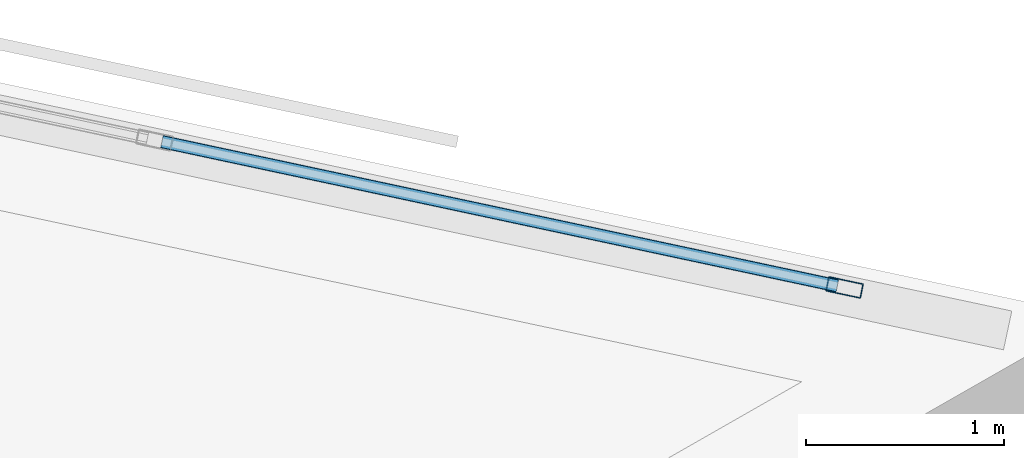
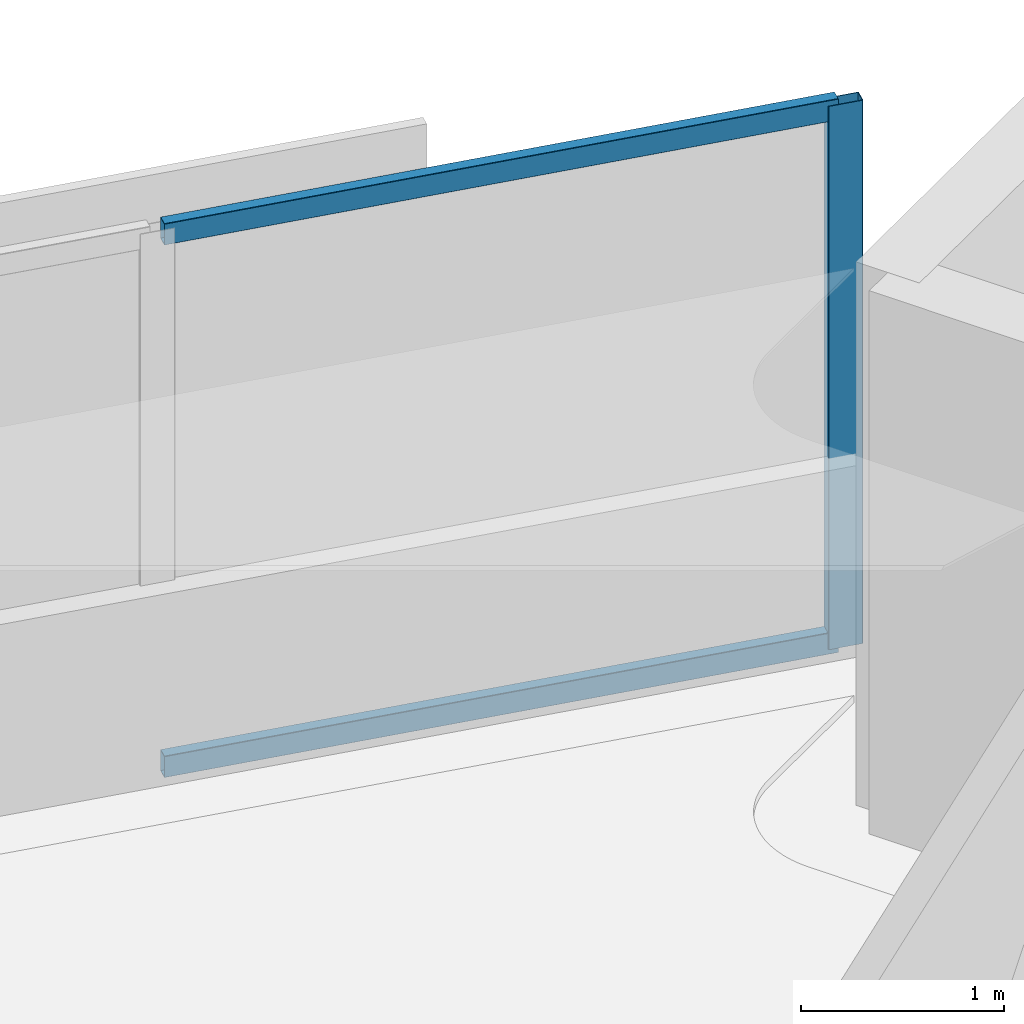
# One storey, part 6 of 13: 3 members, 1 element without a shape of its own.
"""IFC4 building model written with IfcOpenShell, lengths in metres."""

import ifcopenshell
import ifcopenshell.guid

model = None  # the IFC model being written
_history = None  # IfcOwnerHistory: only IFC2X3 demands one
_inside = {}  # id of a spatial element -> (the spatial element, [elements in it])
_under = {}  # id of a project, library or spatial element -> (it, [spatial elements below it])
_declared = {}  # id of a project -> (the project, [libraries it declares])
_typed = {}  # id of a type object -> (the type object, [elements of that type])
_made_of = {}  # id of a material, layer set ... -> (it, [elements and type objects made of it])


def new_model(schema):
    """Start an empty IFC model of exactly this schema.

    Asked for "IFC4X3", IfcOpenShell would pick the latest addendum, in which some entities
    have other attributes; the version numbers below select the first issue.
    IFC2X3 requires an IfcOwnerHistory on every rooted entity: one is made here for all.
    """
    global model, _history
    if schema == "IFC4X3":
        model = ifcopenshell.file(schema_version=(4, 3, 0, 0))
    else:
        model = ifcopenshell.file(schema=schema)
    _inside.clear()
    _under.clear()
    _declared.clear()
    _typed.clear()
    _made_of.clear()
    _history = None
    if model.schema == "IFC2X3":
        org = make("IfcOrganization", Name="unknown")
        user = make(
            "IfcPersonAndOrganization",
            ThePerson=make("IfcPerson", FamilyName="unknown"),
            TheOrganization=org,
        )
        app = make(
            "IfcApplication",
            ApplicationDeveloper=org,
            Version="unknown",
            ApplicationFullName="unknown",
            ApplicationIdentifier="unknown",
        )
        _history = make(
            "IfcOwnerHistory",
            OwningUser=user,
            OwningApplication=app,
            ChangeAction="ADDED",
            CreationDate=0,
        )
    return model


def make(cls, **values):
    """One entity of the class cls with the attributes given. An attribute that is None is left unset."""
    return model.create_entity(
        cls, **{name: value for name, value in values.items() if value is not None}
    )


def rooted(cls, **values):
    """An entity with a GlobalId (a new one), such as an element, a storey or a relation."""
    return make(cls, GlobalId=ifcopenshell.guid.new(), OwnerHistory=_history, **values)


def si_unit(unit_type, name, prefix=None):
    """IfcSIUnit, for example si_unit("LENGTHUNIT", "METRE", prefix="MILLI")."""
    return make("IfcSIUnit", UnitType=unit_type, Prefix=prefix, Name=name)


def assignment(units):
    """IfcUnitAssignment: the units of a project."""
    return None if units is None else make("IfcUnitAssignment", Units=units)


def point(xyz):
    """IfcCartesianPoint."""
    return None if xyz is None else make("IfcCartesianPoint", Coordinates=xyz)


def direction(xyz):
    """IfcDirection."""
    return None if xyz is None else make("IfcDirection", DirectionRatios=xyz)


def frame(location, z_axis=None, x_axis=None):
    """IfcAxis2Placement3D, a coordinate frame: its origin and axes. An axis left out is left unset."""
    return make(
        "IfcAxis2Placement3D",
        Location=point(location),
        Axis=direction(z_axis),
        RefDirection=direction(x_axis),
    )


def frame_2d(location, x_axis=None):
    """IfcAxis2Placement2D, a coordinate frame in the plane: its origin and x axis."""
    return make(
        "IfcAxis2Placement2D", Location=point(location), RefDirection=direction(x_axis)
    )


def origin():
    """The frame at (0, 0, 0) with its axes left unset."""
    return frame((0.0, 0.0, 0.0))


def origin_2d():
    """The frame at (0, 0) in the plane with its x axis left unset."""
    return frame_2d((0.0, 0.0))


def place(relative_to, where):
    """IfcLocalPlacement: puts the frame where relative to a parent placement (None: the world)."""
    return make(
        "IfcLocalPlacement", PlacementRelTo=relative_to, RelativePlacement=where
    )


def context(
    kind, dimensions, precision=None, world=None, true_north=None, identifier=None
):
    """IfcGeometricRepresentationContext, for example the 3D "Model" context."""
    return make(
        "IfcGeometricRepresentationContext",
        ContextIdentifier=identifier,
        ContextType=kind,
        CoordinateSpaceDimension=dimensions,
        Precision=precision,
        WorldCoordinateSystem=world,
        TrueNorth=true_north,
    )


def subcontext(parent, identifier, kind, view, scale=None):
    """IfcGeometricRepresentationSubContext, for example "Body" below "Model"."""
    return make(
        "IfcGeometricRepresentationSubContext",
        ContextIdentifier=identifier,
        ContextType=kind,
        ParentContext=parent,
        TargetScale=scale,
        TargetView=view,
    )


def project(units=None, contexts=None):
    """IfcProject with its units and contexts."""
    return rooted(
        "IfcProject",
        Name="project",
        RepresentationContexts=contexts,
        UnitsInContext=assignment(units),
    )


def spatial(cls, under=None, at=None, **own):
    """A site, building, storey or space (cls), placed at a placement, below another one or the project."""
    s = rooted(cls, ObjectPlacement=at, **own)
    if under is not None:
        _under.setdefault(under.id(), (under, []))[1].append(s)
    return s


def profile(cls, at=None, kind="AREA", **sizes):
    """A parametric profile (cls). Its sizes go by their IFC names, for example OverallWidth=200.0."""
    return make(cls, ProfileType=kind, Position=at, **sizes)


def hollow_rectangle(**sizes):
    """IfcRectangleHollowProfileDef."""
    return profile("IfcRectangleHollowProfileDef", **sizes)


def extrude(swept, where, along, depth):
    """IfcExtrudedAreaSolid: the profile swept, set in the frame where, extruded along a direction by depth."""
    return make(
        "IfcExtrudedAreaSolid",
        SweptArea=swept,
        Position=where,
        ExtrudedDirection=direction(along),
        Depth=depth,
    )


def shape(context_of_items, identifier, shape_type, items):
    """IfcShapeRepresentation: the items that make up one representation, for example the "Body"."""
    return make(
        "IfcShapeRepresentation",
        ContextOfItems=context_of_items,
        RepresentationIdentifier=identifier,
        RepresentationType=shape_type,
        Items=items,
    )


def material(Name=None, Category=None):
    """IfcMaterial."""
    return make("IfcMaterial", Name=Name, Category=Category)


def material_profile(
    of_material, cross_section, Name=None, Category=None, Priority=None
):
    """IfcMaterialProfile: a cross section and its material."""
    return make(
        "IfcMaterialProfile",
        Name=Name,
        Material=of_material,
        Profile=cross_section,
        Priority=Priority,
        Category=Category,
    )


def profile_set(profiles, Name=None, composite=None):
    """IfcMaterialProfileSet."""
    return make(
        "IfcMaterialProfileSet",
        Name=Name,
        MaterialProfiles=profiles,
        CompositeProfile=composite,
    )


def made_of(thing, what):
    """Note that an element or type object is made of a material, layer set ...; save() writes the relation."""
    if what is not None:
        _made_of.setdefault(what.id(), (what, []))[1].append(thing)
    return thing


def type_object(cls, material=None, **own):
    """A type object (cls), such as IfcWallType, which elements share."""
    return made_of(rooted(cls, **own), material)


def element(
    cls,
    number,
    at=None,
    inside=None,
    cuts=None,
    type_object=None,
    material=None,
    context=None,
    identifier="Body",
    shape_type=None,
    held_by="IfcProductDefinitionShape",
    body=None,
    shapes=None,
    **own,
):
    """One element of the class cls, such as IfcWall. Its Tag is "e" and its number.

    at: its placement. inside: the storey or other place that contains it. cuts: it is an
    opening in that element (IfcRelVoidsElement). A single representation is given by context,
    identifier, shape_type and body (its items); several are given by shapes. held_by: the class
    of the entity that holds the representations. save() writes the other relations.
    """
    e = rooted(cls, Tag="e%d" % number, ObjectPlacement=at, **own)
    if body is not None:
        shapes = [shape(context, identifier, shape_type, body)]
    if shapes is not None:
        e.Representation = make(held_by, Representations=shapes)
    if inside is not None:
        _inside.setdefault(inside.id(), (inside, []))[1].append(e)
    if cuts is not None:
        rooted(
            "IfcRelVoidsElement", RelatingBuildingElement=cuts, RelatedOpeningElement=e
        )
    if type_object is not None:
        _typed.setdefault(type_object.id(), (type_object, []))[1].append(e)
    return made_of(e, material)


def aggregate(whole, parts):
    """IfcRelAggregates: a whole, such as a stair, and the parts it consists of."""
    return rooted("IfcRelAggregates", RelatingObject=whole, RelatedObjects=parts)


def save(model, path):
    """Write the relations noted so far, then the file.

    IfcRelAggregates (storeys below a building ...), IfcRelContainedInSpatialStructure (elements
    in a storey), IfcRelDefinesByType, IfcRelAssociatesMaterial and IfcRelDeclares: one each for
    every whole, place, type object, material and project.
    """
    for whole, parts in _under.values():
        aggregate(whole, parts)
    for where, things in _inside.values():
        rooted(
            "IfcRelContainedInSpatialStructure",
            RelatedElements=things,
            RelatingStructure=where,
        )
    for kind, things in _typed.values():
        rooted("IfcRelDefinesByType", RelatedObjects=things, RelatingType=kind)
    for what, things in _made_of.values():
        rooted("IfcRelAssociatesMaterial", RelatedObjects=things, RelatingMaterial=what)
    for by, libraries in _declared.values():
        rooted("IfcRelDeclares", RelatingContext=by, RelatedDefinitions=libraries)
    model.write(path)


model = new_model("IFC4")

# Units and contexts
model_context = context("Model", 3, precision=1e-05, world=origin(), true_north=direction((0.0, 1.0)))
body_context = subcontext(model_context, "Body", "Model", "MODEL_VIEW")
ifc_project = project(units=[si_unit("LENGTHUNIT", "METRE"), si_unit("AREAUNIT", "SQUARE_METRE"), si_unit("VOLUMEUNIT", "CUBIC_METRE"), si_unit("PLANEANGLEUNIT", "RADIAN"), si_unit("MASSUNIT", "GRAM", prefix="KILO")], contexts=[model_context])

# Site, building, storey
site_placement = place(None, origin())
site = spatial("IfcSite", under=ifc_project, at=site_placement, CompositionType="ELEMENT")
building_placement = place(site_placement, origin())
building = spatial("IfcBuilding", under=site, at=building_placement, Name="Narakoshi Arena Tower", CompositionType="ELEMENT")
storey_placement = place(building_placement, frame((0.0, 0.0, 222.02001953125)))
storey = spatial("IfcBuildingStorey", under=building, at=storey_placement, Name="L60", CompositionType="ELEMENT", Elevation=222.02001953125)

# Curtain wall, members
ifc_material = material(Name="Anodised bronze aluminium 6063-T6", Category="aluminium")
curtain_wall_type = type_object("IfcCurtainWallType", Name="CW-HYP-MID", PredefinedType="NOTDEFINED", material=ifc_material)
curtain_wall_placement = place(storey_placement, origin())
curtain_wall = element("IfcCurtainWall", 1, at=curtain_wall_placement, inside=storey, type_object=curtain_wall_type, Name="L60 Folded Hypotenuse Curtain Wall 1-1", PredefinedType="NOTDEFINED")
ifc_material_profile_1 = material_profile(ifc_material, hollow_rectangle(XDim=0.074951171875, YDim=0.179931640625, WallThickness=0.00390625, OuterFilletRadius=0.0048828125, at=origin_2d()), Name="MUL180x75x4")
ifc_profile_set_1 = profile_set([ifc_material_profile_1], Name="Anodised bronze aluminium 6063-T6")
member_type_1 = type_object("IfcMemberType", Name="MEM-MUL-180", PredefinedType="MULLION", material=ifc_profile_set_1)
member_1_placement = place(storey_placement, frame((115.57373046875, 56.938232421875, 0.0), z_axis=(0.0, 0.0, 1.0), x_axis=(-0.208899163248, -0.977937185914, 0.0)))
member_1 = element("IfcMember", 2, at=member_1_placement, type_object=member_type_1, Name="CW-02 mullion 1", PredefinedType="MULLION", context=body_context, shape_type="SweptSolid", body=[
    extrude(hollow_rectangle(XDim=0.074951171875, YDim=0.179931640625, WallThickness=0.00390625, OuterFilletRadius=0.0048828125, at=origin_2d()), origin(), (0.0, 0.0, 1.0), 3.260009765625),
])
ifc_material_profile_2 = material_profile(ifc_material, hollow_rectangle(XDim=0.06494140625, YDim=0.1298828125, WallThickness=0.00390625, OuterFilletRadius=0.0048828125, at=origin_2d()), Name="TRN130x65x4")
ifc_profile_set_2 = profile_set([ifc_material_profile_2], Name="Anodised bronze aluminium 6063-T6")
member_type_2 = type_object("IfcMemberType", Name="MEM-TRN-130", PredefinedType="USERDEFINED", material=ifc_profile_set_2)
member_2_placement = place(storey_placement, frame((115.537109375, 56.946044921875, 0.032470703125), z_axis=(-0.977942813259, 0.20887281775, 0.0), x_axis=(-0.20887281775, -0.977942813259, 0.0)))
member_2 = element("IfcMember", 3, at=member_2_placement, type_object=member_type_2, Name="CW-02 transom 1.1", ObjectType="TRANSOM", PredefinedType="USERDEFINED", context=body_context, shape_type="SweptSolid", body=[
    extrude(hollow_rectangle(XDim=0.06494140625, YDim=0.1298828125, WallThickness=0.00390625, OuterFilletRadius=0.0048828125, at=origin_2d()), origin(), (0.0, 0.0, 1.0), 3.480712890625),
])
member_3_placement = place(storey_placement, frame((115.537109375, 56.946044921875, 3.2275390625), z_axis=(-0.977942813259, 0.20887281775, 0.0), x_axis=(-0.20887281775, -0.977942813259, 0.0)))
member_3 = element("IfcMember", 4, at=member_3_placement, type_object=member_type_2, Name="CW-02 transom 1.2", ObjectType="TRANSOM", PredefinedType="USERDEFINED", context=body_context, shape_type="SweptSolid", body=[
    extrude(hollow_rectangle(XDim=0.06494140625, YDim=0.1298828125, WallThickness=0.00390625, OuterFilletRadius=0.0048828125, at=origin_2d()), origin(), (0.0, 0.0, 1.0), 3.480712890625),
])
aggregate(curtain_wall, [member_1, member_2, member_3])

save(model, "model.ifc")
